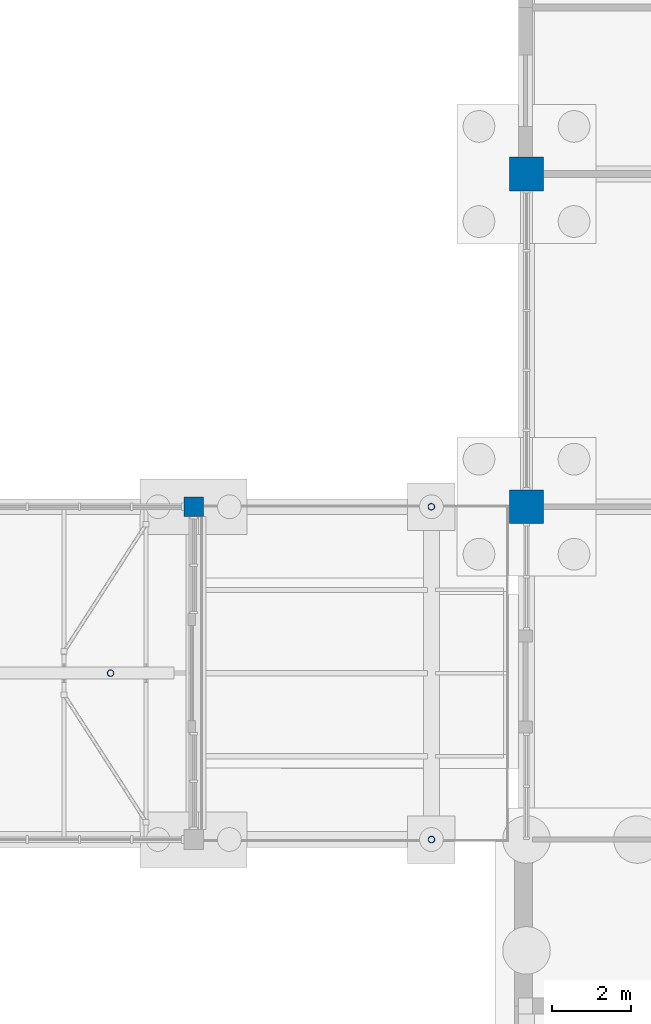
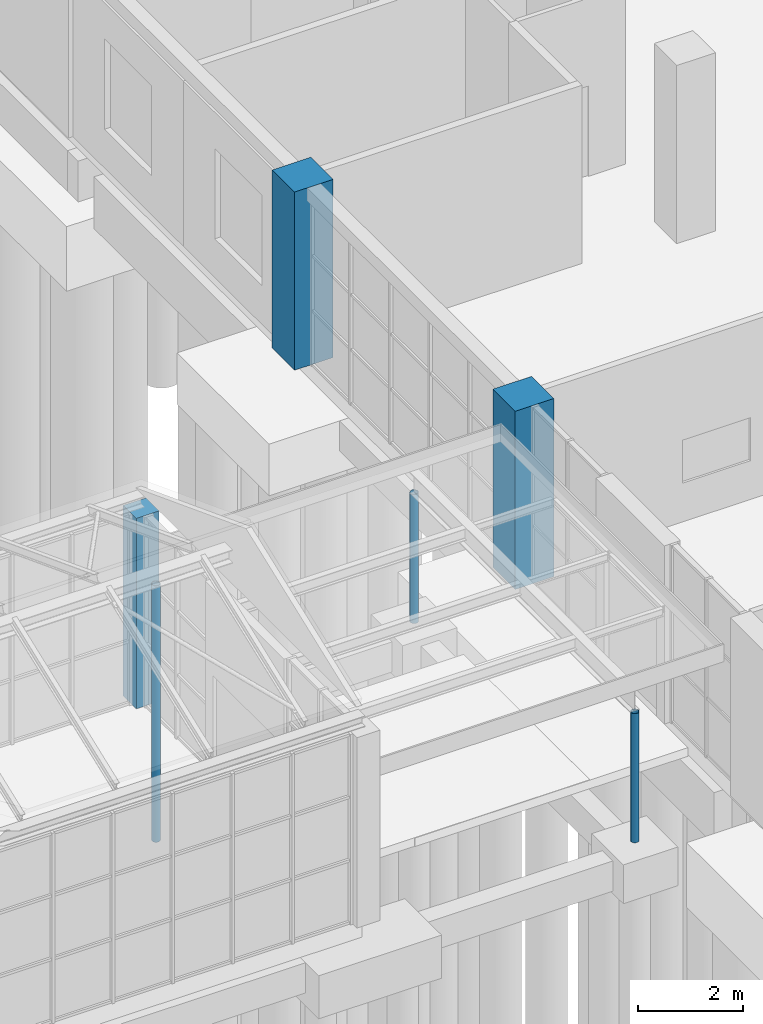
# One storey, part 23 of 138: 6 columns.
"""IFC4 building model written with IfcOpenShell, lengths in metres."""

from ifc_helpers import new_model, si_unit, direction, frame, origin, origin_2d, place, context, subcontext, project, spatial, rectangle, hollow_circle, extrude, material, material_profile, profile_set, type_object, element, save


model = new_model("IFC4")

# Units and contexts
model_context = context("Model", 3, precision=1e-05, world=origin(), true_north=direction((0.0, 1.0)))
body_context = subcontext(model_context, "Body", "Model", "MODEL_VIEW")
ifc_project = project(units=[si_unit("LENGTHUNIT", "METRE"), si_unit("AREAUNIT", "SQUARE_METRE"), si_unit("VOLUMEUNIT", "CUBIC_METRE"), si_unit("PLANEANGLEUNIT", "RADIAN"), si_unit("MASSUNIT", "GRAM", prefix="KILO")], contexts=[model_context])

# Site, building, storey
site_placement = place(None, origin())
site = spatial("IfcSite", under=ifc_project, at=site_placement, CompositionType="ELEMENT")
building_placement = place(site_placement, origin())
building = spatial("IfcBuilding", under=site, at=building_placement, Name="Yavir Park General Hospital", CompositionType="ELEMENT")
storey_placement = place(building_placement, origin())
storey = spatial("IfcBuildingStorey", under=building, at=storey_placement, Name="L00", CompositionType="ELEMENT", Elevation=0.0)

# Columns
ifc_material_1 = material(Name="Steel S355", Category="steel")
ifc_material_profile_1 = material_profile(ifc_material_1, hollow_circle(Radius=0.084228515625, WallThickness=0.008056640625, at=origin_2d()), Name="CHS168.3x8")
ifc_profile_set_1 = profile_set([ifc_material_profile_1], Name="Steel S355")
column_type_1 = type_object("IfcColumnType", Name="CHS 168.3x8 column", PredefinedType="COLUMN", material=ifc_profile_set_1)
for number, where, z_axis, x_axis, name in (
    (1, (140.39990234375, 50.39990234375, -0.300048828125), (0.0, 0.0, 1.0), (1.0, 0.0, 0.0), "C:EDW:00"),
    (2, (140.39990234375, 58.800048828125, -0.300048828125), (0.0, 0.0, 1.0), (1.0, 0.0, 0.0), "C:EDW:01"),
):
    element("IfcColumn", number, at=place(storey_placement, frame(where, z_axis=z_axis, x_axis=x_axis)), inside=storey, type_object=column_type_1, Name=name, PredefinedType="COLUMN", context=body_context, shape_type="SweptSolid", body=[
        extrude(hollow_circle(Radius=0.084228515625, WallThickness=0.008056640625, at=origin_2d()), origin(), (0.0, 0.0, 1.0), 3.0),
    ])
ifc_material_2 = material(Name="Steel S355", Category="steel")
ifc_material_profile_2 = material_profile(ifc_material_2, hollow_circle(Radius=0.084228515625, WallThickness=0.008056640625, at=origin_2d()), Name="CHS168.3x8")
ifc_profile_set_2 = profile_set([ifc_material_profile_2], Name="Steel S355")
column_type_2 = type_object("IfcColumnType", Name="CHS 168.3x8 ridge post", PredefinedType="COLUMN", material=ifc_profile_set_2)
column_1_placement = place(storey_placement, frame((132.300048828125, 54.60009765625, 0.0), z_axis=(0.0, 0.0, 1.0), x_axis=(1.0, 0.0, 0.0)))
element("IfcColumn", 3, at=column_1_placement, inside=storey, type_object=column_type_2, Name="RF:CONC:frame:K:3", PredefinedType="COLUMN", context=body_context, shape_type="SweptSolid", body=[
    extrude(hollow_circle(Radius=0.084228515625, WallThickness=0.008056640625, at=origin_2d()), origin(), (0.0, 0.0, 1.0), 5.9580078125),
])
ifc_material_3 = material(Name="Concrete C40/50", Category="concrete")
ifc_material_profile_3 = material_profile(ifc_material_3, rectangle(XDim=0.5, YDim=0.5, at=origin_2d()), Name="RC500x500")
ifc_profile_set_3 = profile_set([ifc_material_profile_3], Name="Concrete C40/50")
column_type_3 = type_object("IfcColumnType", Name="RC COLUMN 500x500", PredefinedType="COLUMN", material=ifc_profile_set_3)
column_2_placement = place(storey_placement, frame((134.39990234375, 58.800048828125, 0.0), z_axis=(0.0, 0.0, 1.0), x_axis=(1.0, 0.0, 0.0)))
element("IfcColumn", 4, at=column_2_placement, inside=storey, type_object=column_type_3, Name="C:L00:17H", PredefinedType="COLUMN", context=body_context, shape_type="SweptSolid", body=[
    extrude(rectangle(XDim=0.5, YDim=0.5, at=origin_2d()), origin(), (0.0, 0.0, 1.0), 4.425048828125),
])
ifc_material_4 = material(Name="Concrete C40/50", Category="concrete")
ifc_material_profile_4 = material_profile(ifc_material_4, rectangle(XDim=0.85009765625, YDim=0.85009765625, at=origin_2d()), Name="RC850x850")
ifc_profile_set_4 = profile_set([ifc_material_profile_4], Name="Concrete C40/50")
column_type_4 = type_object("IfcColumnType", Name="RC COLUMN 850x850", PredefinedType="COLUMN", material=ifc_profile_set_4)
for number, where, z_axis, x_axis, name in (
    (5, (142.800048828125, 58.800048828125, 0.0), (0.0, 0.0, 1.0), (1.0, 0.0, 0.0), "C:L00:18H"),
    (6, (142.800048828125, 67.199951171875, 0.0), (0.0, 0.0, 1.0), (1.0, 0.0, 0.0), "C:L00:18J"),
):
    element("IfcColumn", number, at=place(storey_placement, frame(where, z_axis=z_axis, x_axis=x_axis)), inside=storey, type_object=column_type_4, Name=name, PredefinedType="COLUMN", context=body_context, shape_type="SweptSolid", body=[
        extrude(rectangle(XDim=0.85009765625, YDim=0.85009765625, at=origin_2d()), origin(), (0.0, 0.0, 1.0), 4.139892578125),
    ])

save(model, "model.ifc")
